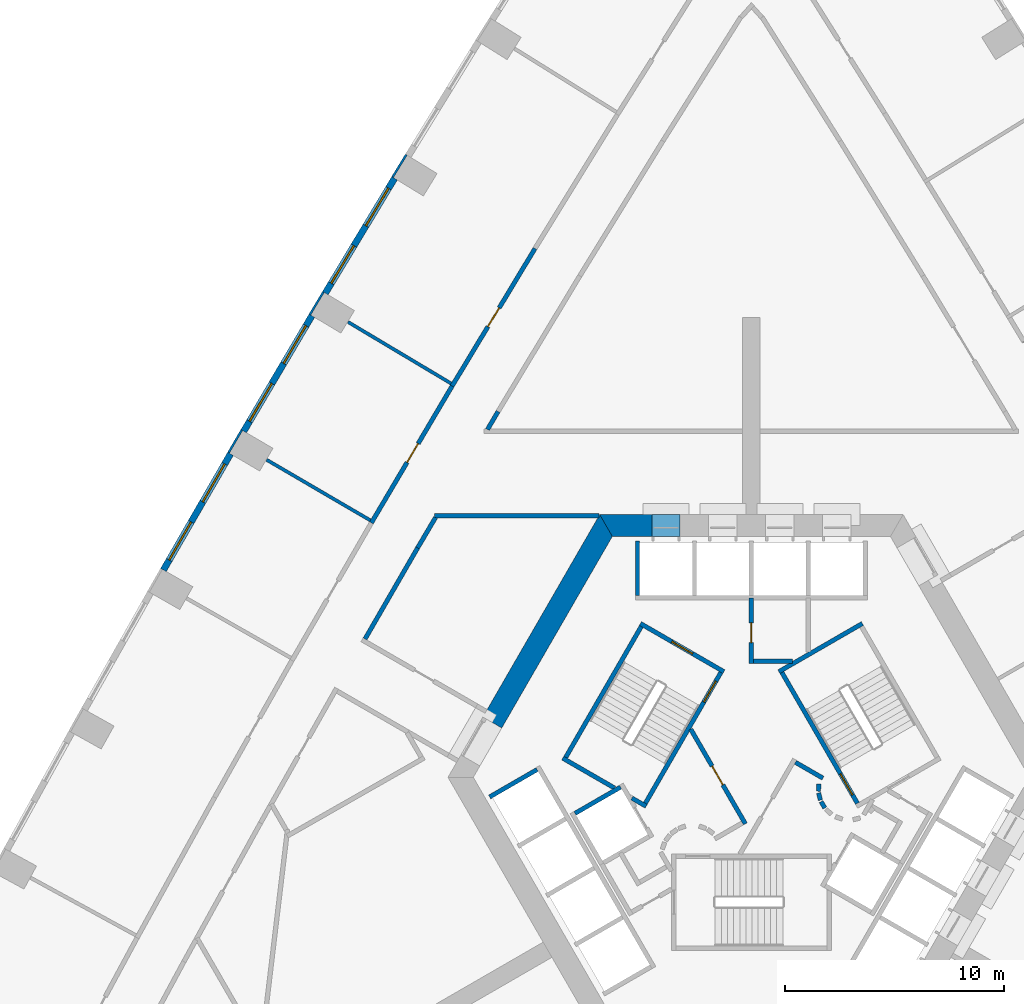
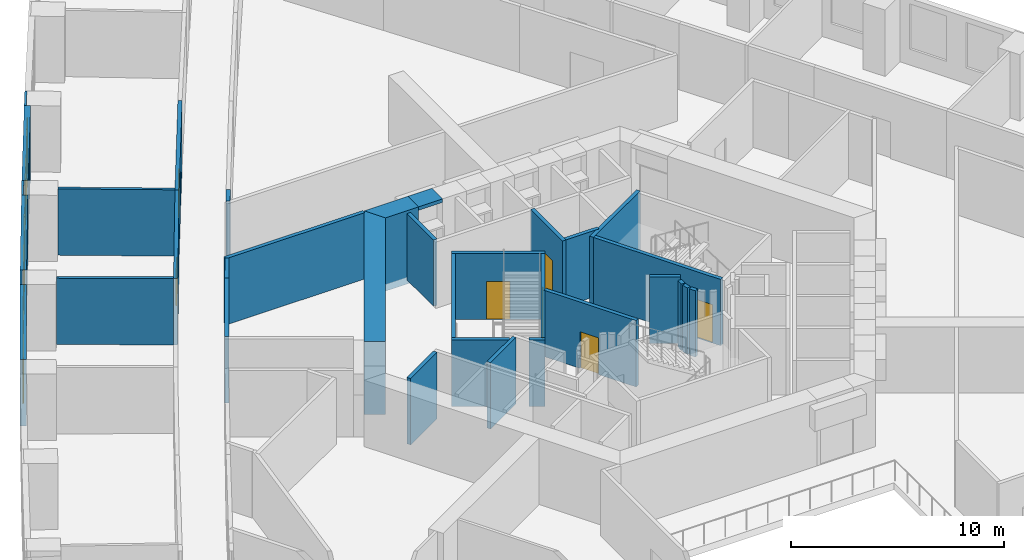
# One storey, part 8 of 14: 34 walls, 7 doors, 6 windows, 13 openings.
"""IFC4 building model written with IfcOpenShell, lengths in metres."""

from ifc_helpers import new_model, si_unit, direction, frame, frame_2d, origin, place, context, subcontext, project, spatial, polyline, rectangle, outline, extrude, material, layer, layer_set, type_object, element, fill, save


model = new_model("IFC4")

# Units and contexts
model_context = context("Model", 3, precision=1e-05, world=origin(), true_north=direction((0.0, 1.0)))
body_context = subcontext(model_context, "Body", "Model", "MODEL_VIEW")
ifc_project = project(units=[si_unit("LENGTHUNIT", "METRE"), si_unit("AREAUNIT", "SQUARE_METRE"), si_unit("VOLUMEUNIT", "CUBIC_METRE"), si_unit("PLANEANGLEUNIT", "RADIAN"), si_unit("MASSUNIT", "GRAM", prefix="KILO")], contexts=[model_context])

# Site, building, storey
site_placement = place(None, origin())
site = spatial("IfcSite", under=ifc_project, at=site_placement, CompositionType="ELEMENT")
building_placement = place(site_placement, origin())
building = spatial("IfcBuilding", under=site, at=building_placement, Name="Entoto Arch Interchange Tower", CompositionType="ELEMENT")
storey_placement = place(building_placement, frame((0.0, 0.0, 64.39990234375)))
storey = spatial("IfcBuildingStorey", under=building, at=storey_placement, Name="L13", CompositionType="ELEMENT", Elevation=64.39990234375)

# Walls
ifc_material_1 = material(Name="Concrete C60/75", Category="concrete")
ifc_layer_1 = layer(ifc_material_1, 1.0)
ifc_layer_set_1 = layer_set([ifc_layer_1], Name="Concrete C60/75")
wall_type_1 = type_object("IfcWallType", Name="Core wall 1000 C60/75", PredefinedType="SHEAR", material=ifc_layer_set_1)
wall_1_placement = place(storey_placement, frame((0.0, 0.0, -0.39990234375)))
element("IfcWall", 1, at=wall_1_placement, inside=storey, type_object=wall_type_1, Name="Core wall N L13", PredefinedType="SHEAR", context=body_context, shape_type="SweptSolid", body=[
    extrude(outline(polyline([(-4.550048828125, 13.5), (-4.550048828125, 14.5), (-6.927978515625, 14.5), (-6.35107421875, 13.5), (-4.550048828125, 13.5)])), origin(), (0.0, 0.0, 1.0), 4.199951171875),
])
wall_2_placement = place(storey_placement, frame((0.0, 0.0, 3.60009765625)))
element("IfcWall", 2, at=wall_2_placement, inside=storey, type_object=wall_type_1, Name="Core wall lintel N L13", PredefinedType="SHEAR", context=body_context, shape_type="SweptSolid", body=[
    extrude(outline(polyline([(-4.550048828125, 14.5), (-4.550048828125, 13.5), (-3.25, 13.5), (-3.25, 14.5), (-4.550048828125, 14.5)])), origin(), (0.0, 0.0, 1.0), 0.199951171875),
])
wall_3_placement = place(storey_placement, frame((0.0, 0.0, -0.39990234375)))
element("IfcWall", 3, at=wall_3_placement, inside=storey, type_object=wall_type_1, Name="Core wall NW L13", PredefinedType="SHEAR", context=body_context, shape_type="SweptSolid", body=[
    extrude(outline(polyline([(-12.26708984375, 5.251953125), (-11.402099609375, 4.751953125), (-6.35107421875, 13.5), (-6.927978515625, 14.5), (-12.26708984375, 5.251953125)])), origin(), (0.0, 0.0, 1.0), 4.199951171875),
])
ifc_material_2 = material(Name="Concrete C40/50", Category="concrete")
ifc_layer_2 = layer(ifc_material_2, 0.199951171875)
ifc_layer_set_2 = layer_set([ifc_layer_2], Name="Concrete C40/50")
wall_type_2 = type_object("IfcWallType", Name="LIFT SHAFT WALL 200", PredefinedType="STANDARD", material=ifc_layer_set_2)
wall_4_placement = place(storey_placement, frame((-5.199951171875, 10.800048828125, 0.0), z_axis=(0.0, 0.0, 1.0), x_axis=(0.0, 1.0, 0.0)))
element("IfcWall", 4, at=wall_4_placement, inside=storey, type_object=wall_type_2, Name="Shaft wall N3 cross 5", PredefinedType="STANDARD", context=body_context, shape_type="SweptSolid", body=[
    extrude(rectangle(XDim=2.5, YDim=0.199951171875, at=frame_2d((1.25, 0.0))), origin(), (0.0, 0.0, 1.0), 3.800048828125),
])
wall_5_placement = place(storey_placement, frame((-5.97705078125, 2.052001953125, 0.0), z_axis=(0.0, 0.0, 1.0), x_axis=(-0.865973769406, -0.500089422704, 0.0)))
element("IfcWall", 5, at=wall_5_placement, inside=storey, type_object=wall_type_2, Name="Shaft wall SW1 cross 1", PredefinedType="STANDARD", context=body_context, shape_type="SweptSolid", body=[
    extrude(rectangle(XDim=2.3994140625, YDim=0.199951171875, at=frame_2d((1.19970703125, 0.0))), origin(), (0.0, 0.0, 1.0), 3.800048828125),
])
wall_6_placement = place(storey_placement, frame((-9.7880859375, 2.85302734375, 0.0), z_axis=(0.0, 0.0, 1.0), x_axis=(-0.865998541277, -0.500046524342, 0.0)))
element("IfcWall", 6, at=wall_6_placement, inside=storey, type_object=wall_type_2, Name="Shaft wall SW3 cross 1", PredefinedType="STANDARD", context=body_context, shape_type="SweptSolid", body=[
    extrude(rectangle(XDim=2.499755859375, YDim=0.199951171875, at=frame_2d((1.25, 0.0))), origin(), (0.0, 0.0, 1.0), 3.800048828125),
])
ifc_material_3 = material(Name="Gypsum board partition on steel studs", Category="steel")
ifc_layer_3 = layer(ifc_material_3, 0.14990234375)
ifc_layer_set_3 = layer_set([ifc_layer_3], Name="Gypsum board partition on steel studs")
wall_type_3 = type_object("IfcWallType", Name="PARTITION 150", PredefinedType="PARTITIONING", material=ifc_layer_set_3)
wall_7_placement = place(storey_placement, frame((-13.716064453125, 20.488037109375, 0.0), z_axis=(0.0, 0.0, 1.0), x_axis=(-0.85883841868, 0.512246591594, 0.0)))
element("IfcWall", 7, at=wall_7_placement, inside=storey, type_object=wall_type_3, Name="wall:L13:p144", PredefinedType="PARTITIONING", context=body_context, shape_type="SweptSolid", body=[
    extrude(rectangle(XDim=5.4794921875, YDim=0.14990234375, at=frame_2d((2.73974609375, 0.0))), origin(), (0.0, 0.0, 1.0), 3.800048828125),
])
wall_8_placement = place(storey_placement, frame((-17.405029296875, 14.237060546875, 0.0), z_axis=(0.0, 0.0, 1.0), x_axis=(-0.863614048932, 0.504153522736, 0.0)))
element("IfcWall", 8, at=wall_8_placement, inside=storey, type_object=wall_type_3, Name="wall:L13:p145", PredefinedType="PARTITIONING", context=body_context, shape_type="SweptSolid", body=[
    extrude(rectangle(XDim=5.48046875, YDim=0.14990234375, at=frame_2d((2.740234375, 0.0))), origin(), (0.0, 0.0, 1.0), 3.800048828125),
])
ifc_layer_4 = layer(ifc_material_3, 0.199951171875)
ifc_layer_set_4 = layer_set([ifc_layer_4], Name="Gypsum board partition on steel studs")
wall_type_4 = type_object("IfcWallType", Name="PARTITION 200", PredefinedType="PARTITIONING", material=ifc_layer_set_4)
wall_9_placement = place(storey_placement, frame((-14.427001953125, 14.364013671875, 0.0), z_axis=(0.0, 0.0, 1.0), x_axis=(-0.508509719672, -0.861056249614, 0.0)))
element("IfcWall", 9, at=wall_9_placement, inside=storey, type_object=wall_type_4, Name="wall:L13:p001", PredefinedType="PARTITIONING", context=body_context, shape_type="SweptSolid", body=[
    extrude(rectangle(XDim=1.61083984375, YDim=0.199951171875, at=frame_2d((0.805419921875, 0.0))), origin(), (0.0, 0.0, 1.0), 3.800048828125),
])
wall_10_placement = place(storey_placement, frame((-15.24609375, 12.97705078125, 0.0), z_axis=(0.0, 0.0, 1.0), x_axis=(-0.499891203561, -0.866088208327, 0.0)))
element("IfcWall", 10, at=wall_10_placement, inside=storey, type_object=wall_type_4, Name="wall:L13:p002", PredefinedType="PARTITIONING", context=body_context, shape_type="SweptSolid", body=[
    extrude(rectangle(XDim=4.80078125, YDim=0.199951171875, at=frame_2d((2.400390625, 0.0))), origin(), (0.0, 0.0, 1.0), 3.800048828125),
])
wall_11_placement = place(storey_placement, frame((-11.569091796875, 19.2080078125, 0.0), z_axis=(0.0, 0.0, 1.0), x_axis=(-0.508048285953, -0.861328589529, 0.0)))
element("IfcWall", 11, at=wall_11_placement, inside=storey, type_object=wall_type_4, Name="wall:L13:p017", PredefinedType="PARTITIONING", context=body_context, shape_type="SweptSolid", body=[
    extrude(rectangle(XDim=0.954345703125, YDim=0.199951171875, at=frame_2d((0.47705078125, 0.0))), origin(), (0.0, 0.0, 1.0), 3.800048828125),
])

# Wall, opening, door
wall_12_placement = place(storey_placement, frame((-13.6689453125, 20.373046875, 0.0), z_axis=(0.0, 0.0, 1.0), x_axis=(0.516247820136, 0.85643924957, 0.0)))
wall_12 = element("IfcWall", 12, at=wall_12_placement, inside=storey, type_object=wall_type_4, Name="wall:L13:p067", PredefinedType="PARTITIONING", context=body_context, shape_type="SweptSolid", body=[
    extrude(rectangle(XDim=7.33154296875, YDim=0.199951171875, at=frame_2d((3.665771484375, 0.0))), origin(), (0.0, 0.0, 1.0), 3.800048828125),
])
opening_1_placement = place(wall_12_placement, frame((3.166015625, 0.0, 0.0)))
opening_1 = element("IfcOpeningElement", 13, at=opening_1_placement, cuts=wall_12, Name="Opening L13-D11", PredefinedType="OPENING", context=body_context, shape_type="SweptSolid", body=[
    extrude(rectangle(XDim=1.0, YDim=2.10009765625, at=frame_2d((0.5, 1.050048828125))), frame((0.0, 0.10986328125, 0.0), z_axis=(0.0, -1.0, 0.0), x_axis=(1.0, 0.0, 0.0)), (0.0, 0.0, 1.0), 0.219970703125),
])
ifc_material_4 = material(Name="Timber door leaf in Steel S235 frame", Category="steel")
door_type_1 = type_object("IfcDoorType", Name="DOOR DS-10 1000x2100", OperationType="SINGLE_SWING_LEFT", PredefinedType="DOOR", material=ifc_material_4)
door_1_placement = place(opening_1_placement, origin())
door_1 = element("IfcDoor", 14, at=door_1_placement, inside=storey, type_object=door_type_1, Name="door:L13:11", OperationType="SINGLE_SWING_LEFT", OverallHeight=2.10009765625, OverallWidth=1.0, PredefinedType="DOOR", context=body_context, shape_type="SweptSolid", body=[
    extrude(rectangle(XDim=1.0, YDim=2.10009765625, at=frame_2d((0.5, 1.050048828125))), frame((0.0, 0.02490234375, 0.0), z_axis=(0.0, -1.0, 0.0), x_axis=(1.0, 0.0, 0.0)), (0.0, 0.0, 1.0), 0.050048828125),
])
fill(opening_1, door_1)

wall_13_placement = place(storey_placement, frame((-17.35693359375, 14.1220703125, 0.0), z_axis=(0.0, 0.0, 1.0), x_axis=(0.508298575594, 0.861180909014, 0.0)))
wall_13 = element("IfcWall", 15, at=wall_13_placement, inside=storey, type_object=wall_type_4, Name="wall:L13:p069", PredefinedType="PARTITIONING", context=body_context, shape_type="SweptSolid", body=[
    extrude(rectangle(XDim=7.257568359375, YDim=0.199951171875, at=frame_2d((3.62890625, 0.0))), origin(), (0.0, 0.0, 1.0), 3.800048828125),
])
opening_2_placement = place(wall_13_placement, frame((3.2041015625, 0.0, 0.0)))
opening_2 = element("IfcOpeningElement", 16, at=opening_2_placement, cuts=wall_13, Name="Opening L13-D12", PredefinedType="OPENING", context=body_context, shape_type="SweptSolid", body=[
    extrude(rectangle(XDim=1.0, YDim=2.10009765625, at=frame_2d((0.5, 1.050048828125))), frame((0.0, 0.10986328125, 0.0), z_axis=(0.0, -1.0, 0.0), x_axis=(1.0, 0.0, 0.0)), (0.0, 0.0, 1.0), 0.219970703125),
])
door_2_placement = place(opening_2_placement, origin())
door_2 = element("IfcDoor", 17, at=door_2_placement, inside=storey, type_object=door_type_1, Name="door:L13:12", OperationType="SINGLE_SWING_RIGHT", OverallHeight=2.10009765625, OverallWidth=1.0, PredefinedType="DOOR", context=body_context, shape_type="SweptSolid", body=[
    extrude(rectangle(XDim=1.0, YDim=2.10009765625, at=frame_2d((0.5, 1.050048828125))), frame((0.0, 0.02490234375, 0.0), z_axis=(0.0, -1.0, 0.0), x_axis=(1.0, 0.0, 0.0)), (0.0, 0.0, 1.0), 0.050048828125),
])
fill(opening_2, door_2)

# Wall
wall_14_placement = place(storey_placement, frame((1.8798828125, 7.800048828125, 0.0), z_axis=(0.0, 0.0, 1.0), x_axis=(-1.0, 0.0, 0.0)))
element("IfcWall", 18, at=wall_14_placement, inside=storey, type_object=wall_type_4, Name="wall:L13:p083", PredefinedType="PARTITIONING", context=body_context, shape_type="SweptSolid", body=[
    extrude(rectangle(XDim=1.77978515625, YDim=0.199951171875, at=frame_2d((0.889892578125, 0.0))), origin(), (0.0, 0.0, 1.0), 3.800048828125),
])

# Wall, opening, door
wall_15_placement = place(storey_placement, frame((0.0, 7.699951171875, 0.0), z_axis=(0.0, 0.0, 1.0), x_axis=(0.000325520816, 0.999999947018, 0.0)))
wall_15 = element("IfcWall", 19, at=wall_15_placement, inside=storey, type_object=wall_type_4, Name="wall:L13:p084", PredefinedType="PARTITIONING", context=body_context, shape_type="SweptSolid", body=[
    extrude(rectangle(XDim=3.0, YDim=0.199951171875, at=frame_2d((1.5, 0.0))), origin(), (0.0, 0.0, 1.0), 3.800048828125),
])
opening_3_placement = place(wall_15_placement, frame((0.949951171875, 0.0, 0.0)))
opening_3 = element("IfcOpeningElement", 20, at=opening_3_placement, cuts=wall_15, Name="Opening L13-D32", PredefinedType="OPENING", context=body_context, shape_type="SweptSolid", body=[
    extrude(rectangle(XDim=0.89990234375, YDim=2.10009765625, at=frame_2d((0.449951171875, 1.050048828125))), frame((0.0, 0.10986328125, 0.0), z_axis=(0.0, -1.0, 0.0), x_axis=(1.0, 0.0, 0.0)), (0.0, 0.0, 1.0), 0.219970703125),
])
door_type_2 = type_object("IfcDoorType", Name="DOOR DS-09 900x2100", OperationType="SINGLE_SWING_LEFT", PredefinedType="DOOR", material=ifc_material_4)
door_3_placement = place(opening_3_placement, origin())
door_3 = element("IfcDoor", 21, at=door_3_placement, inside=storey, type_object=door_type_2, Name="door:L13:32", OperationType="SINGLE_SWING_RIGHT", OverallHeight=2.10009765625, OverallWidth=0.89990234375, PredefinedType="DOOR", context=body_context, shape_type="SweptSolid", body=[
    extrude(rectangle(XDim=0.89990234375, YDim=2.10009765625, at=frame_2d((0.449951171875, 1.050048828125))), frame((0.0, 0.02490234375, 0.0), z_axis=(0.0, -1.0, 0.0), x_axis=(1.0, 0.0, 0.0)), (0.0, 0.0, 1.0), 0.050048828125),
])
fill(opening_3, door_3)

# Walls
wall_16_placement = place(storey_placement, frame((-6.95703125, 14.449951171875, 0.0), z_axis=(0.0, 0.0, 1.0), x_axis=(-1.0, 0.0, 0.0)))
element("IfcWall", 22, at=wall_16_placement, inside=storey, type_object=wall_type_4, Name="wall:L13:p097", PredefinedType="PARTITIONING", context=body_context, shape_type="SweptSolid", body=[
    extrude(rectangle(XDim=7.51904296875, YDim=0.199951171875, at=frame_2d((3.759521484375, 0.0))), origin(), (0.0, 0.0, 1.0), 3.800048828125),
])
wall_17_placement = place(storey_placement, frame((2.011962890625, 3.18603515625, 0.0), z_axis=(0.0, 0.0, 1.0), x_axis=(0.865891012941, -0.500232699559, 0.0)))
element("IfcWall", 23, at=wall_17_placement, inside=storey, type_object=wall_type_4, Name="wall:L13:p101", PredefinedType="PARTITIONING", context=body_context, shape_type="SweptSolid", body=[
    extrude(rectangle(XDim=1.449462890625, YDim=0.199951171875, at=frame_2d((0.724609375, 0.0))), origin(), (0.0, 0.0, 1.0), 3.800048828125),
])
wall_18_placement = place(storey_placement, frame((3.0791015625, 2.198974609375, 0.0), z_axis=(0.0, 0.0, 1.0), x_axis=(-0.047771483479, -0.998858290933, 0.0)))
element("IfcWall", 24, at=wall_18_placement, inside=storey, type_object=wall_type_4, Name="wall:L13:p102", PredefinedType="PARTITIONING", context=body_context, shape_type="SweptSolid", body=[
    extrude(rectangle(XDim=0.33740234375, YDim=0.199951171875, at=frame_2d((0.168701171875, 0.0))), origin(), (0.0, 0.0, 1.0), 3.800048828125),
])
wall_19_placement = place(storey_placement, frame((3.070068359375, 1.785888671875, 0.0), z_axis=(0.0, 0.0, 1.0), x_axis=(0.242705583207, -0.970099994784, 0.0)))
element("IfcWall", 25, at=wall_19_placement, inside=storey, type_object=wall_type_4, Name="wall:L13:p103", PredefinedType="PARTITIONING", context=body_context, shape_type="SweptSolid", body=[
    extrude(rectangle(XDim=0.337890625, YDim=0.199951171875, at=frame_2d((0.1689453125, 0.0))), origin(), (0.0, 0.0, 1.0), 3.800048828125),
])
wall_20_placement = place(storey_placement, frame((3.181884765625, 1.387939453125, 0.0), z_axis=(0.0, 0.0, 1.0), x_axis=(0.512474702713, -0.85870232274, 0.0)))
element("IfcWall", 26, at=wall_20_placement, inside=storey, type_object=wall_type_4, Name="wall:L13:p104", PredefinedType="PARTITIONING", context=body_context, shape_type="SweptSolid", body=[
    extrude(rectangle(XDim=0.337646484375, YDim=0.199951171875, at=frame_2d((0.1689453125, 0.0))), origin(), (0.0, 0.0, 1.0), 3.800048828125),
])

# Wall, opening, door
wall_21_placement = place(storey_placement, frame((-2.77099609375, 4.699951171875, 0.0), z_axis=(0.0, 0.0, 1.0), x_axis=(0.499969479948, -0.866043023828, 0.0)))
wall_21 = element("IfcWall", 27, at=wall_21_placement, inside=storey, type_object=wall_type_4, Name="wall:L13:p108", PredefinedType="PARTITIONING", context=body_context, shape_type="SweptSolid", body=[
    extrude(rectangle(XDim=4.990478515625, YDim=0.199951171875, at=frame_2d((2.4951171875, 0.0))), origin(), (0.0, 0.0, 1.0), 3.800048828125),
])
opening_4_placement = place(wall_21_placement, frame((1.945068359375, 0.0, 0.0)))
opening_4 = element("IfcOpeningElement", 28, at=opening_4_placement, cuts=wall_21, Name="Opening L13-D31", PredefinedType="OPENING", context=body_context, shape_type="SweptSolid", body=[
    extrude(rectangle(XDim=1.0, YDim=2.10009765625, at=frame_2d((0.5, 1.050048828125))), frame((0.0, 0.10986328125, 0.0), z_axis=(0.0, -1.0, 0.0), x_axis=(1.0, 0.0, 0.0)), (0.0, 0.0, 1.0), 0.219970703125),
])
ifc_material_5 = material(Name="Fire-rated Steel S235 door and frame", Category="steel")
door_type_3 = type_object("IfcDoorType", Name="DOOR FD-10 1000x2100", OperationType="SINGLE_SWING_LEFT", PredefinedType="DOOR", material=ifc_material_5)
door_4_placement = place(opening_4_placement, origin())
door_4 = element("IfcDoor", 29, at=door_4_placement, inside=storey, type_object=door_type_3, Name="door:L13:31", OperationType="SINGLE_SWING_RIGHT", OverallHeight=2.10009765625, OverallWidth=1.0, PredefinedType="DOOR", context=body_context, shape_type="SweptSolid", body=[
    extrude(rectangle(XDim=1.0, YDim=2.10009765625, at=frame_2d((0.5, 1.050048828125))), frame((0.0, 0.02490234375, 0.0), z_axis=(0.0, -1.0, 0.0), x_axis=(1.0, 0.0, 0.0)), (0.0, 0.0, 1.0), 0.050048828125),
])
fill(opening_4, door_4)

# Wall
ifc_layer_5 = layer(ifc_material_2, 0.199951171875)
ifc_layer_set_5 = layer_set([ifc_layer_5], Name="Concrete C40/50")
wall_type_5 = type_object("IfcWallType", Name="STAIR ENCLOSURE WALL 200", PredefinedType="STANDARD", material=ifc_layer_set_5)
wall_22_placement = place(storey_placement, frame((1.256103515625, 7.323974609375, 0.0), z_axis=(0.0, 0.0, 1.0), x_axis=(0.866046073146, 0.499964197906, 0.0)))
element("IfcWall", 30, at=wall_22_placement, inside=storey, type_object=wall_type_5, Name="Stair wall ST-NE far", PredefinedType="STANDARD", context=body_context, shape_type="SweptSolid", body=[
    extrude(rectangle(XDim=4.400146484375, YDim=0.199951171875, at=frame_2d((2.2001953125, 0.0))), origin(), (0.0, 0.0, 1.0), 3.800048828125),
])

# Wall, opening, door
wall_23_placement = place(storey_placement, frame((4.843017578125, 1.31201171875, 0.0), z_axis=(0.0, 0.0, 1.0), x_axis=(-0.499963383562, 0.866046543262, 0.0)))
wall_23 = element("IfcWall", 31, at=wall_23_placement, inside=storey, type_object=wall_type_5, Name="Stair wall ST-NE hall", PredefinedType="STANDARD", context=body_context, shape_type="SweptSolid", body=[
    extrude(rectangle(XDim=6.900390625, YDim=0.199951171875, at=frame_2d((3.4501953125, 0.0))), origin(), (0.0, 0.0, 1.0), 3.800048828125),
])
opening_5_placement = place(wall_23_placement, frame((0.449951171875, 0.0, 0.0)))
opening_5 = element("IfcOpeningElement", 32, at=opening_5_placement, cuts=wall_23, Name="Opening SD-ST-NE-L13", PredefinedType="OPENING", context=body_context, shape_type="SweptSolid", body=[
    extrude(rectangle(XDim=1.10009765625, YDim=2.199951171875, at=frame_2d((0.550048828125, 1.10009765625))), frame((0.0, 0.10986328125, 0.0), z_axis=(0.0, -1.0, 0.0), x_axis=(1.0, 0.0, 0.0)), (0.0, 0.0, 1.0), 0.219970703125),
])
ifc_material_6 = material(Name="Steel S235", Category="steel")
door_type_4 = type_object("IfcDoorType", Name="STAIR DOOR SD1 1100x2200", OperationType="SINGLE_SWING_LEFT", PredefinedType="DOOR", material=ifc_material_6)
door_5_placement = place(opening_5_placement, origin())
door_5 = element("IfcDoor", 33, at=door_5_placement, inside=storey, type_object=door_type_4, Name="Stair door ST-NE L13", OperationType="SINGLE_SWING_LEFT", OverallHeight=2.199951171875, OverallWidth=1.10009765625, PredefinedType="DOOR", context=body_context, shape_type="SweptSolid", body=[
    extrude(rectangle(XDim=1.10009765625, YDim=2.199951171875, at=frame_2d((0.550048828125, 1.10009765625))), frame((0.0, 0.02490234375, 0.0), z_axis=(0.0, -1.0, 0.0), x_axis=(1.0, 0.0, 0.0)), (0.0, 0.0, 1.0), 0.050048828125),
])
fill(opening_5, door_5)

wall_24_placement = place(storey_placement, frame((-1.256103515625, 7.323974609375, 0.0), z_axis=(0.0, 0.0, 1.0), x_axis=(-0.866046073146, 0.499964197906, 0.0)))
wall_24 = element("IfcWall", 34, at=wall_24_placement, inside=storey, type_object=wall_type_5, Name="Stair wall ST-NW near", PredefinedType="STANDARD", context=body_context, shape_type="SweptSolid", body=[
    extrude(rectangle(XDim=4.400146484375, YDim=0.199951171875, at=frame_2d((2.2001953125, 0.0))), origin(), (0.0, 0.0, 1.0), 3.800048828125),
])
opening_6_placement = place(wall_24_placement, frame((1.64990234375, 0.0, 0.0)))
opening_6 = element("IfcOpeningElement", 35, at=opening_6_placement, cuts=wall_24, Name="Opening SD-ST-NW-L13-E", PredefinedType="OPENING", context=body_context, shape_type="SweptSolid", body=[
    extrude(rectangle(XDim=1.10009765625, YDim=2.199951171875, at=frame_2d((0.550048828125, 1.10009765625))), frame((0.0, 0.10986328125, 0.0), z_axis=(0.0, -1.0, 0.0), x_axis=(1.0, 0.0, 0.0)), (0.0, 0.0, 1.0), 0.219970703125),
])
door_6_placement = place(opening_6_placement, origin())
door_6 = element("IfcDoor", 36, at=door_6_placement, inside=storey, type_object=door_type_4, Name="Stair door ST-NW L13 end", OperationType="SINGLE_SWING_LEFT", OverallHeight=2.199951171875, OverallWidth=1.10009765625, PredefinedType="DOOR", context=body_context, shape_type="SweptSolid", body=[
    extrude(rectangle(XDim=1.10009765625, YDim=2.199951171875, at=frame_2d((0.550048828125, 1.10009765625))), frame((0.0, 0.02490234375, 0.0), z_axis=(0.0, -1.0, 0.0), x_axis=(1.0, 0.0, 0.0)), (0.0, 0.0, 1.0), 0.050048828125),
])
fill(opening_6, door_6)

# Walls
wall_25_placement = place(storey_placement, frame((-6.25, 2.010009765625, 0.0), z_axis=(0.0, 0.0, 1.0), x_axis=(-0.86611865017, 0.499838457731, 0.0)))
element("IfcWall", 37, at=wall_25_placement, inside=storey, type_object=wall_type_5, Name="Stair wall ST-NW far", PredefinedType="STANDARD", context=body_context, shape_type="SweptSolid", body=[
    extrude(rectangle(XDim=2.73291015625, YDim=0.199951171875, at=frame_2d((1.366455078125, 0.0))), origin(), (0.0, 0.0, 1.0), 3.800048828125),
])
wall_26_placement = place(storey_placement, frame((-4.805908203125, 1.176025390625, 0.0), z_axis=(0.0, 0.0, 1.0), x_axis=(-0.866558586415, 0.499075361355, 0.0)))
element("IfcWall", 38, at=wall_26_placement, inside=storey, type_object=wall_type_5, Name="Stair wall ST-NW far return", PredefinedType="STANDARD", context=body_context, shape_type="SweptSolid", body=[
    extrude(rectangle(XDim=0.75146484375, YDim=0.199951171875, at=frame_2d((0.375732421875, 0.0))), origin(), (0.0, 0.0, 1.0), 3.800048828125),
])

# Wall, opening, door
wall_27_placement = place(storey_placement, frame((-1.39306640625, 7.2880859375, 0.0), z_axis=(0.0, 0.0, 1.0), x_axis=(-0.499963383562, -0.866046543262, 0.0)))
wall_27 = element("IfcWall", 39, at=wall_27_placement, inside=storey, type_object=wall_type_5, Name="Stair wall ST-NW hall", PredefinedType="STANDARD", context=body_context, shape_type="SweptSolid", body=[
    extrude(rectangle(XDim=6.900390625, YDim=0.199951171875, at=frame_2d((3.4501953125, 0.0))), origin(), (0.0, 0.0, 1.0), 3.800048828125),
])
opening_7_placement = place(wall_27_placement, frame((0.449951171875, 0.0, 0.0)))
opening_7 = element("IfcOpeningElement", 40, at=opening_7_placement, cuts=wall_27, Name="Opening SD-ST-NW-L13", PredefinedType="OPENING", context=body_context, shape_type="SweptSolid", body=[
    extrude(rectangle(XDim=1.10009765625, YDim=2.199951171875, at=frame_2d((0.550048828125, 1.10009765625))), frame((0.0, 0.10986328125, 0.0), z_axis=(0.0, -1.0, 0.0), x_axis=(1.0, 0.0, 0.0)), (0.0, 0.0, 1.0), 0.219970703125),
])
door_7_placement = place(opening_7_placement, origin())
door_7 = element("IfcDoor", 41, at=door_7_placement, inside=storey, type_object=door_type_4, Name="Stair door ST-NW L13", OperationType="SINGLE_SWING_LEFT", OverallHeight=2.199951171875, OverallWidth=1.10009765625, PredefinedType="DOOR", context=body_context, shape_type="SweptSolid", body=[
    extrude(rectangle(XDim=1.10009765625, YDim=2.199951171875, at=frame_2d((0.550048828125, 1.10009765625))), frame((0.0, 0.02490234375, 0.0), z_axis=(0.0, -1.0, 0.0), x_axis=(1.0, 0.0, 0.0)), (0.0, 0.0, 1.0), 0.050048828125),
])
fill(opening_7, door_7)

# Wall
wall_28_placement = place(storey_placement, frame((-5.030029296875, 9.387939453125, 0.0), z_axis=(0.0, 0.0, 1.0), x_axis=(-0.499978703459, -0.866037698999, 0.0)))
element("IfcWall", 42, at=wall_28_placement, inside=storey, type_object=wall_type_5, Name="Stair wall ST-NW back", PredefinedType="STANDARD", context=body_context, shape_type="SweptSolid", body=[
    extrude(rectangle(XDim=6.900146484375, YDim=0.199951171875, at=frame_2d((3.4501953125, 0.0))), origin(), (0.0, 0.0, 1.0), 3.800048828125),
])

# Wall, openings, windows
ifc_material_7 = material(Name="Welded tuff (ignimbrite) cladding, warm buff", Category="masonry")
ifc_layer_6 = layer(ifc_material_7, 0.300048828125)
ifc_layer_set_6 = layer_set([ifc_layer_6], Name="Welded tuff (ignimbrite) cladding, warm buff")
wall_type_6 = type_object("IfcWallType", Name="STONE INFILL WALL 300", PredefinedType="STANDARD", material=ifc_layer_set_6)
wall_29_placement = place(storey_placement, frame((-16.300048828125, 29.85888671875, 0.0), z_axis=(0.0, 0.0, 1.0), x_axis=(-0.516147563478, -0.856499674674, 0.0)))
wall_29 = element("IfcWall", 43, at=wall_29_placement, inside=storey, type_object=wall_type_6, Name="Facade wall NW-03 L13", PredefinedType="STANDARD", context=body_context, shape_type="SweptSolid", body=[
    extrude(rectangle(XDim=6.1259765625, YDim=0.300048828125, at=frame_2d((3.06298828125, 0.0))), origin(), (0.0, 0.0, 1.0), 3.800048828125),
])
opening_8_placement = place(wall_29_placement, frame((0.531982421875, 0.0, 0.89990234375)))
opening_8 = element("IfcOpeningElement", 44, at=opening_8_placement, cuts=wall_29, Name="Opening WO-C", PredefinedType="OPENING", context=body_context, shape_type="SweptSolid", body=[
    extrude(rectangle(XDim=2.0, YDim=2.60009765625, at=frame_2d((1.0, 1.300048828125))), frame((0.0, 0.16015625, 0.0), z_axis=(0.0, -1.0, 0.0), x_axis=(1.0, 0.0, 0.0)), (0.0, 0.0, 1.0), 0.320068359375),
])
opening_9_placement = place(wall_29_placement, frame((3.594970703125, 0.0, 0.89990234375)))
opening_9 = element("IfcOpeningElement", 45, at=opening_9_placement, cuts=wall_29, Name="Opening WO-C", PredefinedType="OPENING", context=body_context, shape_type="SweptSolid", body=[
    extrude(rectangle(XDim=2.0, YDim=2.60009765625, at=frame_2d((1.0, 1.300048828125))), frame((0.0, 0.16015625, 0.0), z_axis=(0.0, -1.0, 0.0), x_axis=(1.0, 0.0, 0.0)), (0.0, 0.0, 1.0), 0.320068359375),
])
ifc_material_8 = material(Name="Clear glass, low-e double glazed", Category="glass")
window_type = type_object("IfcWindowType", Name="WINDOW WO-C 2000x2600", PartitioningType="DOUBLE_PANEL_VERTICAL", PredefinedType="WINDOW", material=ifc_material_8)
window_1_placement = place(opening_8_placement, origin())
window_1 = element("IfcWindow", 46, at=window_1_placement, inside=storey, type_object=window_type, Name="Window WO-C NW-03 L13", OverallHeight=2.60009765625, OverallWidth=2.0, PartitioningType="SINGLE_PANEL", PredefinedType="WINDOW", context=body_context, shape_type="SweptSolid", body=[
    extrude(rectangle(XDim=2.0, YDim=2.60009765625, at=frame_2d((1.0, 1.300048828125))), frame((0.0, 0.030029296875, 0.0), z_axis=(0.0, -1.0, 0.0), x_axis=(1.0, 0.0, 0.0)), (0.0, 0.0, 1.0), 0.06005859375),
])
fill(opening_8, window_1)
window_2_placement = place(opening_9_placement, origin())
window_2 = element("IfcWindow", 47, at=window_2_placement, inside=storey, type_object=window_type, Name="Window WO-C NW-03 L13", OverallHeight=2.60009765625, OverallWidth=2.0, PartitioningType="SINGLE_PANEL", PredefinedType="WINDOW", context=body_context, shape_type="SweptSolid", body=[
    extrude(rectangle(XDim=2.0, YDim=2.60009765625, at=frame_2d((1.0, 1.300048828125))), frame((0.0, 0.030029296875, 0.0), z_axis=(0.0, -1.0, 0.0), x_axis=(1.0, 0.0, 0.0)), (0.0, 0.0, 1.0), 0.06005859375),
])
fill(opening_9, window_2)

wall_30_placement = place(storey_placement, frame((-20.075927734375, 23.5830078125, 0.0), z_axis=(0.0, 0.0, 1.0), x_axis=(-0.508163938648, -0.861260362177, 0.0)))
wall_30 = element("IfcWall", 48, at=wall_30_placement, inside=storey, type_object=wall_type_6, Name="Facade wall NW-04 L13", PredefinedType="STANDARD", context=body_context, shape_type="SweptSolid", body=[
    extrude(rectangle(XDim=6.1259765625, YDim=0.300048828125, at=frame_2d((3.06298828125, 0.0))), origin(), (0.0, 0.0, 1.0), 3.800048828125),
])
opening_10_placement = place(wall_30_placement, frame((0.531005859375, 0.0, 0.89990234375)))
opening_10 = element("IfcOpeningElement", 49, at=opening_10_placement, cuts=wall_30, Name="Opening WO-C", PredefinedType="OPENING", context=body_context, shape_type="SweptSolid", body=[
    extrude(rectangle(XDim=2.0, YDim=2.60009765625, at=frame_2d((1.0, 1.300048828125))), frame((0.0, 0.16015625, 0.0), z_axis=(0.0, -1.0, 0.0), x_axis=(1.0, 0.0, 0.0)), (0.0, 0.0, 1.0), 0.320068359375),
])
opening_11_placement = place(wall_30_placement, frame((3.593994140625, 0.0, 0.89990234375)))
opening_11 = element("IfcOpeningElement", 50, at=opening_11_placement, cuts=wall_30, Name="Opening WO-C", PredefinedType="OPENING", context=body_context, shape_type="SweptSolid", body=[
    extrude(rectangle(XDim=2.0, YDim=2.60009765625, at=frame_2d((1.0, 1.300048828125))), frame((0.0, 0.16015625, 0.0), z_axis=(0.0, -1.0, 0.0), x_axis=(1.0, 0.0, 0.0)), (0.0, 0.0, 1.0), 0.320068359375),
])
window_3_placement = place(opening_10_placement, origin())
window_3 = element("IfcWindow", 51, at=window_3_placement, inside=storey, type_object=window_type, Name="Window WO-C NW-04 L13", OverallHeight=2.60009765625, OverallWidth=2.0, PartitioningType="SINGLE_PANEL", PredefinedType="WINDOW", context=body_context, shape_type="SweptSolid", body=[
    extrude(rectangle(XDim=2.0, YDim=2.60009765625, at=frame_2d((1.0, 1.300048828125))), frame((0.0, 0.030029296875, 0.0), z_axis=(0.0, -1.0, 0.0), x_axis=(1.0, 0.0, 0.0)), (0.0, 0.0, 1.0), 0.06005859375),
])
fill(opening_10, window_3)
window_4_placement = place(opening_11_placement, origin())
window_4 = element("IfcWindow", 52, at=window_4_placement, inside=storey, type_object=window_type, Name="Window WO-C NW-04 L13", OverallHeight=2.60009765625, OverallWidth=2.0, PartitioningType="SINGLE_PANEL", PredefinedType="WINDOW", context=body_context, shape_type="SweptSolid", body=[
    extrude(rectangle(XDim=2.0, YDim=2.60009765625, at=frame_2d((1.0, 1.300048828125))), frame((0.0, 0.030029296875, 0.0), z_axis=(0.0, -1.0, 0.0), x_axis=(1.0, 0.0, 0.0)), (0.0, 0.0, 1.0), 0.06005859375),
])
fill(opening_11, window_4)

wall_31_placement = place(storey_placement, frame((-23.79296875, 17.27294921875, 0.0), z_axis=(0.0, 0.0, 1.0), x_axis=(-0.499903021601, -0.86608138705, 0.0)))
wall_31 = element("IfcWall", 53, at=wall_31_placement, inside=storey, type_object=wall_type_6, Name="Facade wall NW-05 L13", PredefinedType="STANDARD", context=body_context, shape_type="SweptSolid", body=[
    extrude(rectangle(XDim=6.125244140625, YDim=0.300048828125, at=frame_2d((3.0625, 0.0))), origin(), (0.0, 0.0, 1.0), 3.800048828125),
])
opening_12_placement = place(wall_31_placement, frame((0.531005859375, 0.0, 0.89990234375)))
opening_12 = element("IfcOpeningElement", 54, at=opening_12_placement, cuts=wall_31, Name="Opening WO-C", PredefinedType="OPENING", context=body_context, shape_type="SweptSolid", body=[
    extrude(rectangle(XDim=2.0, YDim=2.60009765625, at=frame_2d((1.0, 1.300048828125))), frame((0.0, 0.16015625, 0.0), z_axis=(0.0, -1.0, 0.0), x_axis=(1.0, 0.0, 0.0)), (0.0, 0.0, 1.0), 0.320068359375),
])
opening_13_placement = place(wall_31_placement, frame((3.593994140625, 0.0, 0.89990234375)))
opening_13 = element("IfcOpeningElement", 55, at=opening_13_placement, cuts=wall_31, Name="Opening WO-C", PredefinedType="OPENING", context=body_context, shape_type="SweptSolid", body=[
    extrude(rectangle(XDim=2.0, YDim=2.60009765625, at=frame_2d((1.0, 1.300048828125))), frame((0.0, 0.16015625, 0.0), z_axis=(0.0, -1.0, 0.0), x_axis=(1.0, 0.0, 0.0)), (0.0, 0.0, 1.0), 0.320068359375),
])
window_5_placement = place(opening_12_placement, origin())
window_5 = element("IfcWindow", 56, at=window_5_placement, inside=storey, type_object=window_type, Name="Window WO-C NW-05 L13", OverallHeight=2.60009765625, OverallWidth=2.0, PartitioningType="SINGLE_PANEL", PredefinedType="WINDOW", context=body_context, shape_type="SweptSolid", body=[
    extrude(rectangle(XDim=2.0, YDim=2.60009765625, at=frame_2d((1.0, 1.300048828125))), frame((0.0, 0.030029296875, 0.0), z_axis=(0.0, -1.0, 0.0), x_axis=(1.0, 0.0, 0.0)), (0.0, 0.0, 1.0), 0.06005859375),
])
fill(opening_12, window_5)
window_6_placement = place(opening_13_placement, origin())
window_6 = element("IfcWindow", 57, at=window_6_placement, inside=storey, type_object=window_type, Name="Window WO-C NW-05 L13", OverallHeight=2.60009765625, OverallWidth=2.0, PartitioningType="SINGLE_PANEL", PredefinedType="WINDOW", context=body_context, shape_type="SweptSolid", body=[
    extrude(rectangle(XDim=2.0, YDim=2.60009765625, at=frame_2d((1.0, 1.300048828125))), frame((0.0, 0.030029296875, 0.0), z_axis=(0.0, -1.0, 0.0), x_axis=(1.0, 0.0, 0.0)), (0.0, 0.0, 1.0), 0.06005859375),
])
fill(opening_13, window_6)

# Walls
ifc_layer_7 = layer(ifc_material_7, 0.10009765625)
ifc_layer_set_7 = layer_set([ifc_layer_7], Name="Welded tuff (ignimbrite) cladding, warm buff")
wall_type_7 = type_object("IfcWallType", Name="STONE PIER CLADDING 100", PredefinedType="STANDARD", material=ifc_layer_set_7)
for number, where, z_axis, x_axis, name in (
    (58, (-15.762939453125, 30.93603515625, 0.0), (0.0, 0.0, 1.0), (-0.521598117945, -0.853191305251, 0.0), "Stone pier NW03 L13"),
    (59, (-19.549072265625, 24.6650390625, 0.0), (0.0, 0.0, 1.0), (-0.513238760752, -0.858245870635, 0.0), "Stone pier NW04 L13"),
):
    element("IfcWall", number, at=place(storey_placement, frame(where, z_axis=z_axis, x_axis=x_axis)), inside=storey, type_object=wall_type_7, Name=name, PredefinedType="STANDARD", context=body_context, shape_type="SweptSolid", body=[
        extrude(rectangle(XDim=1.2001953125, YDim=0.10009765625, at=frame_2d((0.60009765625, 0.0))), origin(), (0.0, 0.0, 1.0), 3.800048828125),
    ])
wall_32_placement = place(storey_placement, frame((-23.277099609375, 18.360107421875, 0.0), z_axis=(0.0, 0.0, 1.0), x_axis=(-0.504225229382, -0.863572184623, 0.0)))
element("IfcWall", 60, at=wall_32_placement, inside=storey, type_object=wall_type_7, Name="Stone pier NW05 L13", PredefinedType="STANDARD", context=body_context, shape_type="SweptSolid", body=[
    extrude(rectangle(XDim=1.19970703125, YDim=0.10009765625, at=frame_2d((0.599853515625, 0.0))), origin(), (0.0, 0.0, 1.0), 3.800048828125),
])

save(model, "model.ifc")
